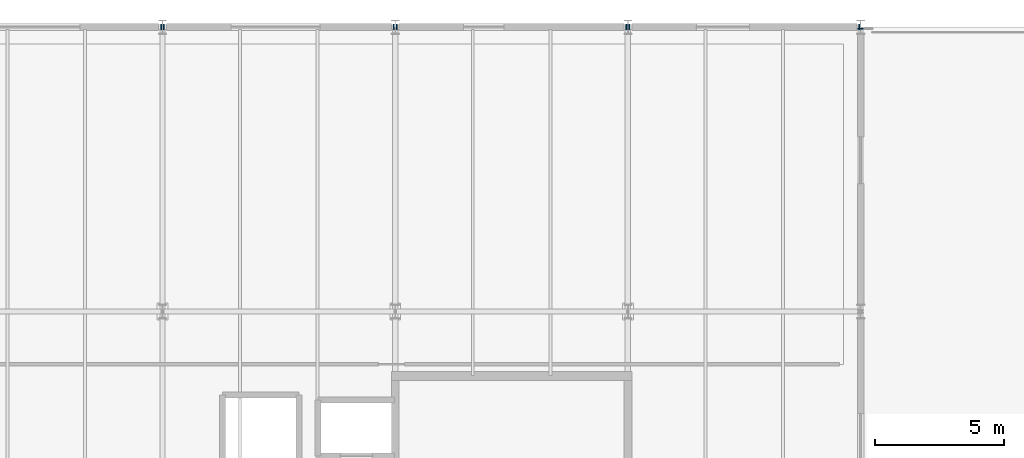
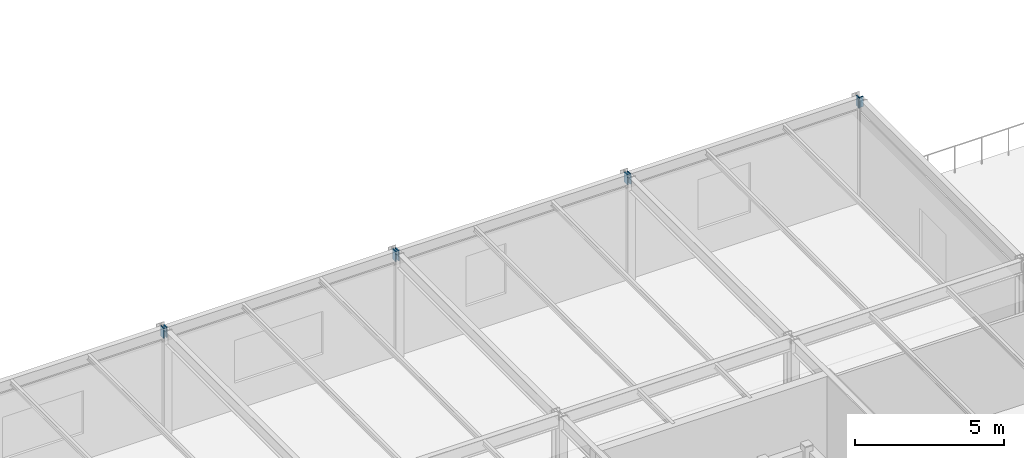
# One storey, part 40 of 44: 8 discrete accessories.
"""IFC4 building model written with IfcOpenShell, lengths in metres."""

from ifc_helpers import new_model, si_unit, direction, frame, origin, origin_2d, place, context, subcontext, project, spatial, rectangle, extrude, material, element, save


model = new_model("IFC4")

# Units and contexts
model_context = context("Model", 3, precision=1e-05, world=origin(), true_north=direction((0.0, 1.0)))
body_context = subcontext(model_context, "Body", "Model", "MODEL_VIEW")
ifc_project = project(units=[si_unit("LENGTHUNIT", "METRE"), si_unit("AREAUNIT", "SQUARE_METRE"), si_unit("VOLUMEUNIT", "CUBIC_METRE"), si_unit("PLANEANGLEUNIT", "RADIAN"), si_unit("MASSUNIT", "GRAM", prefix="KILO")], contexts=[model_context])

# Site, building, storey
site_placement = place(None, origin())
site = spatial("IfcSite", under=ifc_project, at=site_placement, CompositionType="ELEMENT")
building_placement = place(site_placement, origin())
building = spatial("IfcBuilding", under=site, at=building_placement, Name="Marlcrest Central Station", CompositionType="ELEMENT")
storey_placement = place(building_placement, frame((0.0, 0.0, 19.5)))
storey = spatial("IfcBuildingStorey", under=building, at=storey_placement, Name="L04", CompositionType="ELEMENT", Elevation=19.5)

# Discrete accessories
ifc_material = material(Name="Steel S355", Category="steel")
for number, where, z_axis, x_axis, name in (
    (1, (35.925048828125, 132.0, 4.074951171875), (1.0, 0.0, 0.0), (0.0, 1.0, 0.0), "endcap-bm-SP-01-L04-00599-e"),
    (2, (36.03515625, 132.0, 4.074951171875), (1.0, 0.0, 0.0), (0.0, 1.0, 0.0), "endcap-bm-SP-01-L04-00600-s"),
    (3, (44.925048828125, 132.0, 4.074951171875), (1.0, 0.0, 0.0), (0.0, 1.0, 0.0), "endcap-bm-SP-01-L04-00600-e"),
    (4, (45.03515625, 132.0, 4.074951171875), (1.0, 0.0, 0.0), (0.0, 1.0, 0.0), "endcap-bm-SP-01-L04-00601-s"),
    (5, (53.925048828125, 132.0, 4.074951171875), (1.0, 0.0, 0.0), (0.0, 1.0, 0.0), "endcap-bm-SP-01-L04-00601-e"),
    (6, (54.03515625, 132.0, 4.074951171875), (1.0, 0.0, 0.0), (0.0, 1.0, 0.0), "endcap-bm-SP-01-L04-00602-s"),
    (7, (62.925048828125, 132.0, 4.074951171875), (1.0, 0.0, 0.0), (0.0, 1.0, 0.0), "endcap-bm-SP-01-L04-00602-e"),
    (8, (63.0, 131.925048828125, 4.074951171875), (0.0, 1.0, 0.0), (-1.0, 0.0, 0.0), "endcap-bm-SP-01-L04-00626-e"),
):
    element("IfcDiscreteAccessory", number, at=place(storey_placement, frame(where, z_axis=z_axis, x_axis=x_axis)), inside=storey, material=ifc_material, Name=name, ObjectType="END_CAP_PLATE", PredefinedType="BRACKET", context=body_context, shape_type="SweptSolid", body=[
        extrude(rectangle(XDim=0.216064453125, YDim=0.416015625, at=origin_2d()), origin(), (0.0, 0.0, 1.0), 0.0400390625),
    ])

save(model, "model.ifc")
